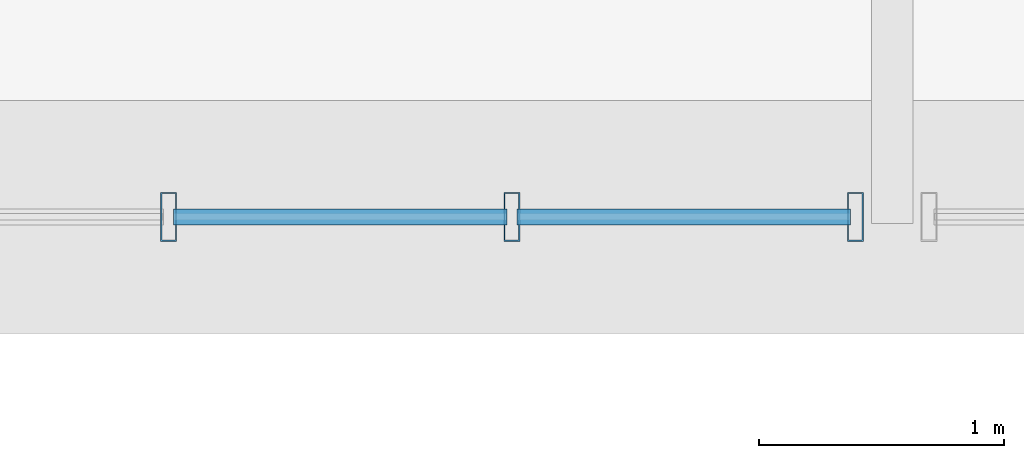
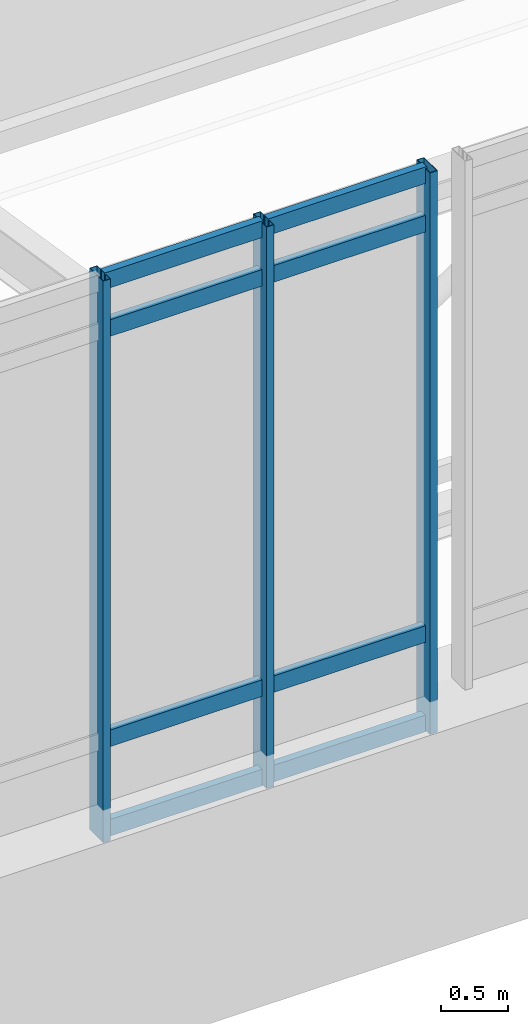
# One storey, part 50 of 82: 11 members, 1 element without a shape of its own.
"""IFC4 building model written with IfcOpenShell, lengths in metres."""

from ifc_helpers import new_model, si_unit, direction, frame, origin, origin_2d, place, context, subcontext, project, spatial, hollow_rectangle, extrude, material, layer, layer_set, material_profile, profile_set, type_object, element, aggregate, save


model = new_model("IFC4")

# Units and contexts
model_context = context("Model", 3, precision=1e-05, world=origin(), true_north=direction((0.0, 1.0)))
body_context = subcontext(model_context, "Body", "Model", "MODEL_VIEW")
ifc_project = project(units=[si_unit("LENGTHUNIT", "METRE"), si_unit("AREAUNIT", "SQUARE_METRE"), si_unit("VOLUMEUNIT", "CUBIC_METRE"), si_unit("PLANEANGLEUNIT", "RADIAN"), si_unit("MASSUNIT", "GRAM", prefix="KILO")], contexts=[model_context])

# Site, building, storey
site_placement = place(None, origin())
site = spatial("IfcSite", under=ifc_project, at=site_placement, CompositionType="ELEMENT")
building_placement = place(site_placement, origin())
building = spatial("IfcBuilding", under=site, at=building_placement, Name="Mersad Railyard Sports Hall", CompositionType="ELEMENT")
storey_placement = place(building_placement, frame((0.0, 0.0, 13.199951171875)))
storey = spatial("IfcBuildingStorey", under=building, at=storey_placement, Name="L03", CompositionType="ELEMENT", Elevation=13.199951171875)

# Curtain wall, members
ifc_material = material(Name="Aluminium 6063-T6", Category="aluminium")
ifc_layer = layer(ifc_material, 0.199951171875)
ifc_layer_set = layer_set([ifc_layer], Name="Aluminium 6063-T6")
curtain_wall_type = type_object("IfcCurtainWallType", Name="ARC-CW-CW47", PredefinedType="USERDEFINED", material=ifc_layer_set)
curtain_wall_placement = place(storey_placement, origin())
curtain_wall = element("IfcCurtainWall", 1, at=curtain_wall_placement, inside=storey, type_object=curtain_wall_type, Name="Curtain wall CW47-0119", ObjectType="CURTAIN WALL", PredefinedType="USERDEFINED")
ifc_material_profile_1 = material_profile(ifc_material, hollow_rectangle(XDim=0.06494140625, YDim=0.199951171875, WallThickness=0.0048828125, at=origin_2d()), Name="AL MULLION 65x200x5")
ifc_profile_set_1 = profile_set([ifc_material_profile_1], Name="Aluminium 6063-T6")
member_type_1 = type_object("IfcMemberType", Name="ARC-CW-MUL02", PredefinedType="MULLION", material=ifc_profile_set_1)
member_1_placement = place(storey_placement, frame((152.050048828125, 73.5, 1.330078125), z_axis=(0.0, 0.0, 1.0), x_axis=(1.0, 0.0, 0.0)))
member_1 = element("IfcMember", 2, at=member_1_placement, type_object=member_type_1, Name="CW47 Mullion 2", PredefinedType="MULLION", context=body_context, shape_type="SweptSolid", body=[
    extrude(hollow_rectangle(XDim=0.06494140625, YDim=0.199951171875, WallThickness=0.0048828125, at=origin_2d()), origin(), (0.0, 0.0, 1.0), 5.0849609375),
])
member_2_placement = place(storey_placement, frame((153.449951171875, 73.5, 1.330078125), z_axis=(0.0, 0.0, 1.0), x_axis=(1.0, 0.0, 0.0)))
member_2 = element("IfcMember", 3, at=member_2_placement, type_object=member_type_1, Name="CW47 Mullion 3", PredefinedType="MULLION", context=body_context, shape_type="SweptSolid", body=[
    extrude(hollow_rectangle(XDim=0.06494140625, YDim=0.199951171875, WallThickness=0.0048828125, at=origin_2d()), origin(), (0.0, 0.0, 1.0), 5.0849609375),
])
member_3_placement = place(storey_placement, frame((154.85009765625, 73.5, 1.330078125), z_axis=(0.0, 0.0, 1.0), x_axis=(1.0, 0.0, 0.0)))
member_3 = element("IfcMember", 4, at=member_3_placement, type_object=member_type_1, Name="CW47 Mullion 4", PredefinedType="MULLION", context=body_context, shape_type="SweptSolid", body=[
    extrude(hollow_rectangle(XDim=0.06494140625, YDim=0.199951171875, WallThickness=0.0048828125, at=origin_2d()), origin(), (0.0, 0.0, 1.0), 5.0849609375),
])
ifc_material_profile_2 = material_profile(ifc_material, hollow_rectangle(XDim=0.06494140625, YDim=0.14990234375, WallThickness=0.00439453125, at=origin_2d()), Name="AL TRANSOM 65x150x4.5")
ifc_profile_set_2 = profile_set([ifc_material_profile_2], Name="Aluminium 6063-T6")
member_type_2 = type_object("IfcMemberType", Name="ARC-CW-TRN02", PredefinedType="USERDEFINED", material=ifc_profile_set_2)
member_4_placement = place(storey_placement, frame((152.070068359375, 73.5, 1.39013671875), z_axis=(1.0, 0.0, 0.0), x_axis=(0.0, 1.0, 0.0)))
member_4 = element("IfcMember", 5, at=member_4_placement, type_object=member_type_2, Name="CW47 Transom 1-2", ObjectType="TRANSOM", PredefinedType="USERDEFINED", context=body_context, shape_type="SweptSolid", body=[
    extrude(hollow_rectangle(XDim=0.06494140625, YDim=0.14990234375, WallThickness=0.00439453125, at=origin_2d()), origin(), (0.0, 0.0, 1.0), 1.35986328125),
])
member_5_placement = place(storey_placement, frame((153.469970703125, 73.5, 1.39013671875), z_axis=(1.0, 0.0, 0.0), x_axis=(0.0, 1.0, 0.0)))
member_5 = element("IfcMember", 6, at=member_5_placement, type_object=member_type_2, Name="CW47 Transom 1-3", ObjectType="TRANSOM", PredefinedType="USERDEFINED", context=body_context, shape_type="SweptSolid", body=[
    extrude(hollow_rectangle(XDim=0.06494140625, YDim=0.14990234375, WallThickness=0.00439453125, at=origin_2d()), origin(), (0.0, 0.0, 1.0), 1.360107421875),
])
member_6_placement = place(storey_placement, frame((152.070068359375, 73.5, 2.199951171875), z_axis=(1.0, 0.0, 0.0), x_axis=(0.0, 1.0, 0.0)))
member_6 = element("IfcMember", 7, at=member_6_placement, type_object=member_type_2, Name="CW47 Transom 2-2", ObjectType="TRANSOM", PredefinedType="USERDEFINED", context=body_context, shape_type="SweptSolid", body=[
    extrude(hollow_rectangle(XDim=0.06494140625, YDim=0.14990234375, WallThickness=0.00439453125, at=origin_2d()), origin(), (0.0, 0.0, 1.0), 1.35986328125),
])
member_7_placement = place(storey_placement, frame((153.469970703125, 73.5, 2.199951171875), z_axis=(1.0, 0.0, 0.0), x_axis=(0.0, 1.0, 0.0)))
member_7 = element("IfcMember", 8, at=member_7_placement, type_object=member_type_2, Name="CW47 Transom 2-3", ObjectType="TRANSOM", PredefinedType="USERDEFINED", context=body_context, shape_type="SweptSolid", body=[
    extrude(hollow_rectangle(XDim=0.06494140625, YDim=0.14990234375, WallThickness=0.00439453125, at=origin_2d()), origin(), (0.0, 0.0, 1.0), 1.360107421875),
])
member_8_placement = place(storey_placement, frame((152.070068359375, 73.5, 5.9150390625), z_axis=(1.0, 0.0, 0.0), x_axis=(0.0, 1.0, 0.0)))
member_8 = element("IfcMember", 9, at=member_8_placement, type_object=member_type_2, Name="CW47 Transom 3-2", ObjectType="TRANSOM", PredefinedType="USERDEFINED", context=body_context, shape_type="SweptSolid", body=[
    extrude(hollow_rectangle(XDim=0.06494140625, YDim=0.14990234375, WallThickness=0.00439453125, at=origin_2d()), origin(), (0.0, 0.0, 1.0), 1.35986328125),
])
member_9_placement = place(storey_placement, frame((153.469970703125, 73.5, 5.9150390625), z_axis=(1.0, 0.0, 0.0), x_axis=(0.0, 1.0, 0.0)))
member_9 = element("IfcMember", 10, at=member_9_placement, type_object=member_type_2, Name="CW47 Transom 3-3", ObjectType="TRANSOM", PredefinedType="USERDEFINED", context=body_context, shape_type="SweptSolid", body=[
    extrude(hollow_rectangle(XDim=0.06494140625, YDim=0.14990234375, WallThickness=0.00439453125, at=origin_2d()), origin(), (0.0, 0.0, 1.0), 1.360107421875),
])
member_10_placement = place(storey_placement, frame((152.070068359375, 73.5, 6.35498046875), z_axis=(1.0, 0.0, 0.0), x_axis=(0.0, 1.0, 0.0)))
member_10 = element("IfcMember", 11, at=member_10_placement, type_object=member_type_2, Name="CW47 Transom 4-2", ObjectType="TRANSOM", PredefinedType="USERDEFINED", context=body_context, shape_type="SweptSolid", body=[
    extrude(hollow_rectangle(XDim=0.06494140625, YDim=0.14990234375, WallThickness=0.00439453125, at=origin_2d()), origin(), (0.0, 0.0, 1.0), 1.35986328125),
])
member_11_placement = place(storey_placement, frame((153.469970703125, 73.5, 6.35498046875), z_axis=(1.0, 0.0, 0.0), x_axis=(0.0, 1.0, 0.0)))
member_11 = element("IfcMember", 12, at=member_11_placement, type_object=member_type_2, Name="CW47 Transom 4-3", ObjectType="TRANSOM", PredefinedType="USERDEFINED", context=body_context, shape_type="SweptSolid", body=[
    extrude(hollow_rectangle(XDim=0.06494140625, YDim=0.14990234375, WallThickness=0.00439453125, at=origin_2d()), origin(), (0.0, 0.0, 1.0), 1.360107421875),
])
aggregate(curtain_wall, [member_1, member_2, member_3, member_4, member_5, member_6, member_7, member_8, member_9, member_10, member_11])

save(model, "model.ifc")
